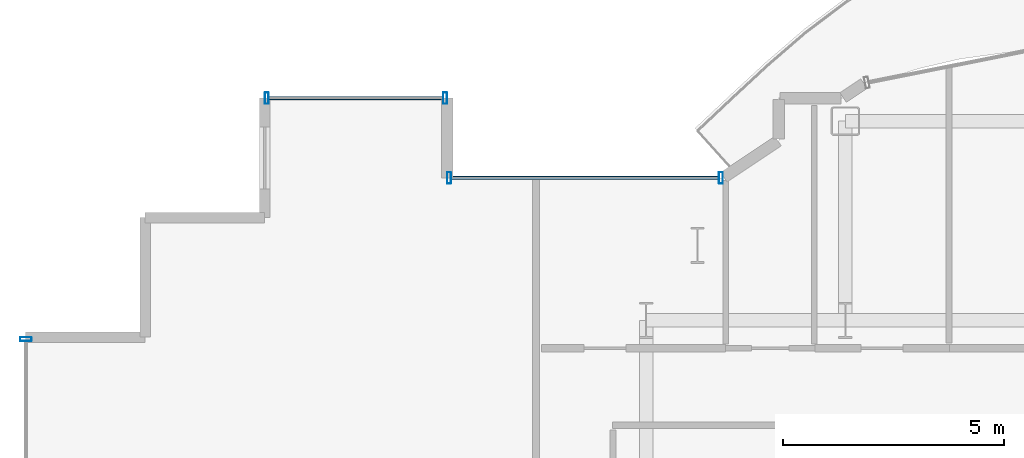
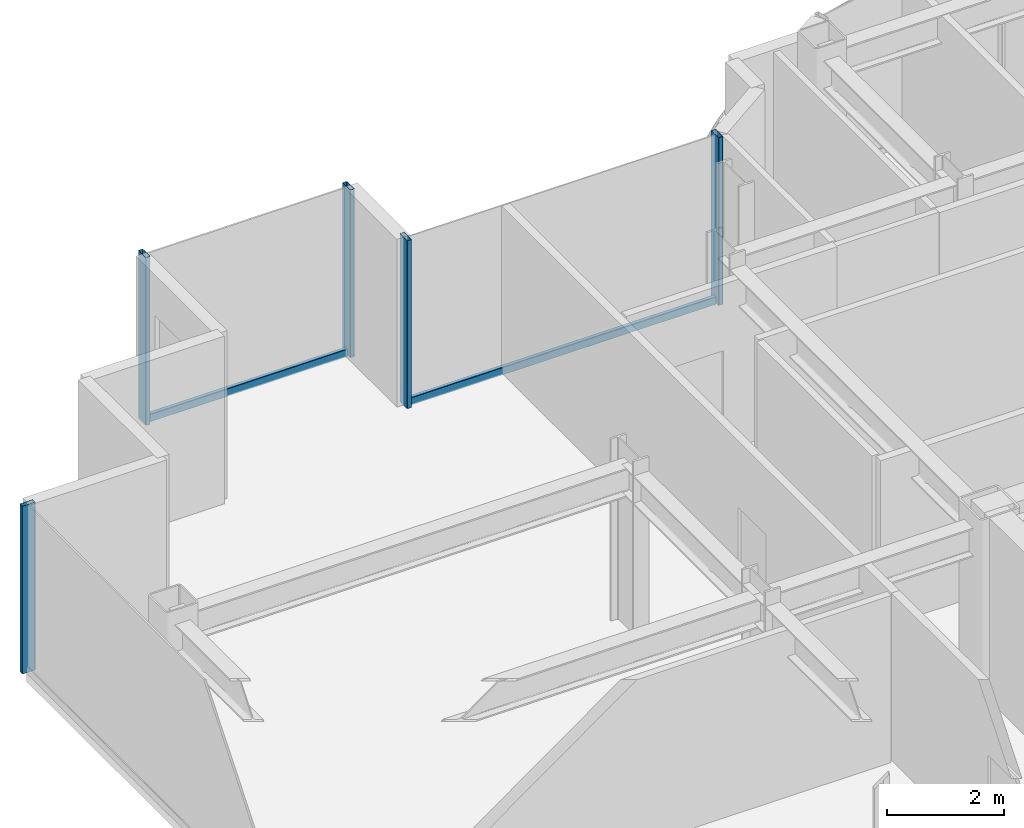
# One storey, part 8 of 21: 7 members, 3 elements without a shape of their own.
"""IFC4 building model written with IfcOpenShell, lengths in metres."""

from ifc_helpers import new_model, si_unit, direction, frame, origin, origin_2d, place, context, subcontext, project, spatial, hollow_rectangle, extrude, source, transform, mapped, material, layer, layer_set, material_profile, profile_set, type_object, element, aggregate, save


model = new_model("IFC4")

# Units and contexts
model_context = context("Model", 3, precision=1e-05, world=origin(), true_north=direction((0.0, 1.0)))
body_context = subcontext(model_context, "Body", "Model", "MODEL_VIEW")
ifc_project = project(units=[si_unit("LENGTHUNIT", "METRE"), si_unit("AREAUNIT", "SQUARE_METRE"), si_unit("VOLUMEUNIT", "CUBIC_METRE"), si_unit("PLANEANGLEUNIT", "RADIAN"), si_unit("MASSUNIT", "GRAM", prefix="KILO")], contexts=[model_context])

# Site, building, storey
site_placement = place(None, origin())
site = spatial("IfcSite", under=ifc_project, at=site_placement, CompositionType="ELEMENT")
building_placement = place(site_placement, origin())
building = spatial("IfcBuilding", under=site, at=building_placement, Name="Nefas-Gora Pilgrimage Tower", CompositionType="ELEMENT")
storey_placement = place(building_placement, frame((0.0, 0.0, 256.0)))
storey = spatial("IfcBuildingStorey", under=building, at=storey_placement, Name="L64", CompositionType="ELEMENT", Elevation=256.0)

# Curtain wall, members
ifc_material_1 = material(Name="Dark ceramic-fritted solar-control aluminium-glass curtain wall", Category="aluminium")
ifc_layer_1 = layer(ifc_material_1, 0.219970703125)
ifc_layer_set_1 = layer_set([ifc_layer_1], Name="Dark ceramic-fritted solar-control aluminium-glass curtain wall")
curtain_wall_type_1 = type_object("IfcCurtainWallType", Name="CW-SYS-5", PredefinedType="NOTDEFINED", material=ifc_layer_set_1)
curtain_wall_1_placement = place(storey_placement, origin())
curtain_wall_1 = element("IfcCurtainWall", 1, at=curtain_wall_1_placement, inside=storey, type_object=curtain_wall_type_1, Name="L64 Unitised Curtain Wall CW5", PredefinedType="NOTDEFINED")
ifc_material_2 = material(Name="Anodised architectural aluminium", Category="aluminium")
ifc_material_profile_1 = material_profile(ifc_material_2, hollow_rectangle(XDim=0.080078125, YDim=0.159912109375, WallThickness=0.00439453125, InnerFilletRadius=0.00439453125, OuterFilletRadius=0.009033203125, at=origin_2d()), Name="ALU TRANSOM 80x160")
ifc_profile_set_1 = profile_set([ifc_material_profile_1], Name="Anodised architectural aluminium")
member_type_1 = type_object("IfcMemberType", Name="CWM-TRN-5", PredefinedType="USERDEFINED", material=ifc_profile_set_1)
shared_shape_1 = source(origin(), body_context, "Body", "SweptSolid", [
    extrude(hollow_rectangle(XDim=0.080078125, YDim=0.159912109375, WallThickness=0.00439453125, InnerFilletRadius=0.00439453125, OuterFilletRadius=0.009033203125, at=origin_2d()), origin(), (0.0, 0.0, 1.0), 6.052001953125),
])
member_1_placement = place(storey_placement, frame((-9.60791015625, 21.219970703125, 0.050048828125), z_axis=(-1.0, 0.0, 0.0), x_axis=(0.0, -1.0, 0.0)))
member_1 = element("IfcMember", 2, at=member_1_placement, type_object=member_type_1, Name="CW5 Spandrel Transom", ObjectType="TRANSOM", PredefinedType="USERDEFINED", context=body_context, shape_type="MappedRepresentation", body=[
    mapped(shared_shape_1, transform((0.0, 0.0, 0.0), x_axis=(1.0, 0.0, 0.0), y_axis=(0.0, 1.0, 0.0), z_axis=(0.0, 0.0, 1.0), scale=1.0)),
])
ifc_material_profile_2 = material_profile(ifc_material_2, hollow_rectangle(XDim=0.090087890625, YDim=0.260009765625, WallThickness=0.006103515625, InnerFilletRadius=0.006103515625, OuterFilletRadius=0.011962890625, at=origin_2d()), Name="ALU MULLION 90x260")
ifc_profile_set_2 = profile_set([ifc_material_profile_2], Name="Anodised architectural aluminium")
member_type_2 = type_object("IfcMemberType", Name="CWM-MUL-5", PredefinedType="MULLION", material=ifc_profile_set_2)
shared_shape_2 = source(origin(), body_context, "Body", "SweptSolid", [
    extrude(hollow_rectangle(XDim=0.090087890625, YDim=0.260009765625, WallThickness=0.006103515625, InnerFilletRadius=0.006103515625, OuterFilletRadius=0.011962890625, at=origin_2d()), origin(), (0.0, 0.0, 1.0), 3.5),
])
member_2_placement = place(storey_placement, frame((-9.56298828125, 21.219970703125, 0.0), z_axis=(0.0, 0.0, 1.0), x_axis=(-1.0, 0.0, 0.0)))
member_2 = element("IfcMember", 3, at=member_2_placement, type_object=member_type_2, Name="CW5 Mullion 1", PredefinedType="MULLION", context=body_context, shape_type="MappedRepresentation", body=[
    mapped(shared_shape_2, transform((0.0, 0.0, 0.0), x_axis=(1.0, 0.0, 0.0), y_axis=(0.0, 1.0, 0.0), z_axis=(0.0, 0.0, 1.0), scale=1.0)),
])
member_3_placement = place(storey_placement, frame((-15.705078125, 21.219970703125, 0.0), z_axis=(0.0, 0.0, 1.0), x_axis=(-1.0, 0.0, 0.0)))
member_3 = element("IfcMember", 4, at=member_3_placement, type_object=member_type_2, Name="CW5 Mullion 2", PredefinedType="MULLION", context=body_context, shape_type="MappedRepresentation", body=[
    mapped(shared_shape_2, transform((0.0, 0.0, 0.0), x_axis=(1.0, 0.0, 0.0), y_axis=(0.0, 1.0, 0.0), z_axis=(0.0, 0.0, 1.0), scale=1.0)),
])
aggregate(curtain_wall_1, [member_2, member_3, member_1])

ifc_layer_2 = layer(ifc_material_1, 0.219970703125)
ifc_layer_set_2 = layer_set([ifc_layer_2], Name="Dark ceramic-fritted solar-control aluminium-glass curtain wall")
curtain_wall_type_2 = type_object("IfcCurtainWallType", Name="CW-SYS-3", PredefinedType="NOTDEFINED", material=ifc_layer_set_2)
curtain_wall_2_placement = place(storey_placement, origin())
curtain_wall_2 = element("IfcCurtainWall", 5, at=curtain_wall_2_placement, inside=storey, type_object=curtain_wall_type_2, Name="L64 Unitised Curtain Wall CW3", PredefinedType="NOTDEFINED")
ifc_material_profile_3 = material_profile(ifc_material_2, hollow_rectangle(XDim=0.090087890625, YDim=0.260009765625, WallThickness=0.006103515625, InnerFilletRadius=0.006103515625, OuterFilletRadius=0.011962890625, at=origin_2d()), Name="ALU MULLION 90x260")
ifc_profile_set_3 = profile_set([ifc_material_profile_3], Name="Anodised architectural aluminium")
member_type_3 = type_object("IfcMemberType", Name="CWM-MUL-3", PredefinedType="MULLION", material=ifc_profile_set_3)
shared_shape_3 = source(origin(), body_context, "Body", "SweptSolid", [
    extrude(hollow_rectangle(XDim=0.090087890625, YDim=0.260009765625, WallThickness=0.006103515625, InnerFilletRadius=0.006103515625, OuterFilletRadius=0.011962890625, at=origin_2d()), origin(), (0.0, 0.0, 1.0), 3.5),
])
member_4_placement = place(storey_placement, frame((-15.794921875, 23.02001953125, 0.0), z_axis=(0.0, 0.0, 1.0), x_axis=(-1.0, 0.0, 0.0)))
member_4 = element("IfcMember", 6, at=member_4_placement, type_object=member_type_3, Name="CW3 Mullion 1", PredefinedType="MULLION", context=body_context, shape_type="MappedRepresentation", body=[
    mapped(shared_shape_3, transform((0.0, 0.0, 0.0), x_axis=(1.0, 0.0, 0.0), y_axis=(0.0, 1.0, 0.0), z_axis=(0.0, 0.0, 1.0), scale=1.0)),
])
member_5_placement = place(storey_placement, frame((-19.824951171875, 23.02001953125, 0.0), z_axis=(0.0, 0.0, 1.0), x_axis=(-1.0, 0.0, 0.0)))
member_5 = element("IfcMember", 7, at=member_5_placement, type_object=member_type_3, Name="CW3 Mullion 2", PredefinedType="MULLION", context=body_context, shape_type="MappedRepresentation", body=[
    mapped(shared_shape_3, transform((0.0, 0.0, 0.0), x_axis=(1.0, 0.0, 0.0), y_axis=(0.0, 1.0, 0.0), z_axis=(0.0, 0.0, 1.0), scale=1.0)),
])

# Curtain wall, member
curtain_wall_3_placement = place(storey_placement, origin())
curtain_wall_3 = element("IfcCurtainWall", 8, at=curtain_wall_3_placement, inside=storey, type_object=curtain_wall_type_2, Name="L64 Unitised Curtain Wall CW3", PredefinedType="NOTDEFINED")
member_6_placement = place(storey_placement, frame((-25.27001953125, 17.574951171875, 0.0), z_axis=(0.0, 0.0, 1.0), x_axis=(0.0, -1.0, 0.0)))
member_6 = element("IfcMember", 9, at=member_6_placement, type_object=member_type_3, Name="CW3 Mullion 1", PredefinedType="MULLION", context=body_context, shape_type="MappedRepresentation", body=[
    mapped(shared_shape_3, transform((0.0, 0.0, 0.0), x_axis=(1.0, 0.0, 0.0), y_axis=(0.0, 1.0, 0.0), z_axis=(0.0, 0.0, 1.0), scale=1.0)),
])
aggregate(curtain_wall_3, [member_6])

# Member
ifc_material_profile_4 = material_profile(ifc_material_2, hollow_rectangle(XDim=0.080078125, YDim=0.159912109375, WallThickness=0.00439453125, InnerFilletRadius=0.00439453125, OuterFilletRadius=0.009033203125, at=origin_2d()), Name="ALU TRANSOM 80x160")
ifc_profile_set_4 = profile_set([ifc_material_profile_4], Name="Anodised architectural aluminium")
member_type_4 = type_object("IfcMemberType", Name="CWM-TRN-3", PredefinedType="USERDEFINED", material=ifc_profile_set_4)
shared_shape_4 = source(origin(), body_context, "Body", "SweptSolid", [
    extrude(hollow_rectangle(XDim=0.080078125, YDim=0.159912109375, WallThickness=0.00439453125, InnerFilletRadius=0.00439453125, OuterFilletRadius=0.009033203125, at=origin_2d()), origin(), (0.0, 0.0, 1.0), 3.93994140625),
])
member_7_placement = place(storey_placement, frame((-15.840087890625, 23.02001953125, 0.050048828125), z_axis=(-1.0, 0.0, 0.0), x_axis=(0.0, -1.0, 0.0)))
member_7 = element("IfcMember", 10, at=member_7_placement, type_object=member_type_4, Name="CW3 Spandrel Transom", ObjectType="TRANSOM", PredefinedType="USERDEFINED", context=body_context, shape_type="MappedRepresentation", body=[
    mapped(shared_shape_4, transform((0.0, 0.0, 0.0), x_axis=(1.0, 0.0, 0.0), y_axis=(0.0, 1.0, 0.0), z_axis=(0.0, 0.0, 1.0), scale=1.0)),
])

aggregate(curtain_wall_2, [member_4, member_5, member_7])

save(model, "model.ifc")
